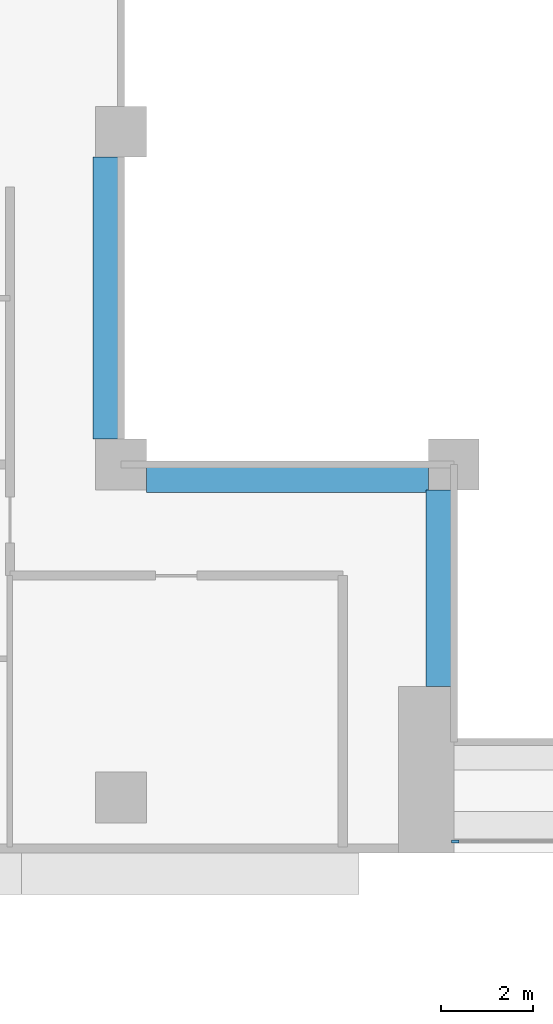
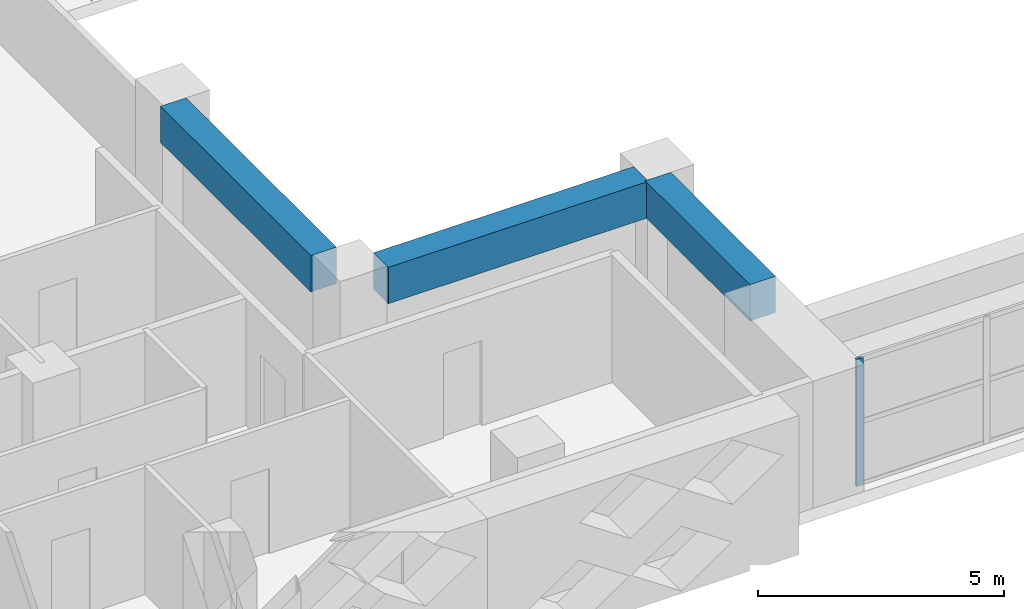
# One storey, part 2 of 19: 3 beams, 1 member, 1 element without a shape of its own.
"""IFC4 building model written with IfcOpenShell, lengths in metres."""

from ifc_helpers import new_model, si_unit, direction, frame, origin, origin_2d, place, context, subcontext, project, spatial, rectangle, extrude, source, transform, mapped, material, layer, layer_set, material_profile, profile_set, type_object, element, aggregate, save


model = new_model("IFC4")

# Units and contexts
model_context = context("Model", 3, precision=1e-05, world=origin(), true_north=direction((0.0, 1.0)))
body_context = subcontext(model_context, "Body", "Model", "MODEL_VIEW")
ifc_project = project(units=[si_unit("LENGTHUNIT", "METRE"), si_unit("AREAUNIT", "SQUARE_METRE"), si_unit("VOLUMEUNIT", "CUBIC_METRE"), si_unit("PLANEANGLEUNIT", "RADIAN"), si_unit("MASSUNIT", "GRAM", prefix="KILO")], contexts=[model_context])

# Site, building, storey
site_placement = place(None, origin())
site = spatial("IfcSite", under=ifc_project, at=site_placement, CompositionType="ELEMENT")
building_placement = place(site_placement, origin())
building = spatial("IfcBuilding", under=site, at=building_placement, Name="Saffron Iwan Residences", CompositionType="ELEMENT")
storey_placement = place(building_placement, frame((0.0, 0.0, 134.0)))
storey = spatial("IfcBuildingStorey", under=building, at=storey_placement, Name="L35", CompositionType="ELEMENT", Elevation=134.0)

# Beams
ifc_material_1 = material(Name="Concrete C50/60", Category="concrete")
ifc_material_profile_1 = material_profile(ifc_material_1, rectangle(XDim=0.60009765625, YDim=0.89990234375, at=origin_2d()), Name="RC 600x900")
ifc_profile_set_1 = profile_set([ifc_material_profile_1], Name="Concrete C50/60")
beam_type = type_object("IfcBeamType", Name="BEAM RC 600x900 C50/60 TOP 3150", PredefinedType="BEAM", material=ifc_profile_set_1)
shared_shape_1 = source(origin(), body_context, "Body", "SweptSolid", [
    extrude(rectangle(XDim=0.60009765625, YDim=0.89990234375, at=origin_2d()), origin(), (0.0, 0.0, 1.0), 4.25),
])
beam_placement = place(storey_placement, frame((42.89990234375, 43.199951171875, 2.699951171875), z_axis=(0.0, 1.0, 0.0), x_axis=(-1.0, 0.0, 0.0)))
element("IfcBeam", 1, at=beam_placement, inside=storey, type_object=beam_type, Name="Atrium edge beam", PredefinedType="BEAM", context=body_context, shape_type="MappedRepresentation", body=[
    mapped(shared_shape_1, transform((0.0, 0.0, 0.0))),
])
shared_shape_2 = source(origin(), body_context, "Body", "SweptSolid", [
    extrude(rectangle(XDim=0.60009765625, YDim=0.89990234375, at=origin_2d()), origin(), (0.0, 0.0, 1.0), 6.099853515625),
])
for number, where, z_axis, x_axis, name in (
    (2, (42.64990234375, 47.699951171875, 2.699951171875), (-1.0, 0.0, 0.0), (0.0, -1.0, 0.0), "Atrium edge beam"),
    (3, (35.699951171875, 48.550048828125, 2.699951171875), (0.0, 1.0, 0.0), (-1.0, 0.0, 0.0), "Atrium edge beam"),
):
    element("IfcBeam", number, at=place(storey_placement, frame(where, z_axis=z_axis, x_axis=x_axis)), inside=storey, type_object=beam_type, Name=name, PredefinedType="BEAM", context=body_context, shape_type="MappedRepresentation", body=[
        mapped(shared_shape_2, transform((0.0, 0.0, 0.0))),
    ])

# Curtain wall, member
ifc_material_2 = material(Name="Clear glass, laminated double glazed", Category="glass")
ifc_layer = layer(ifc_material_2, 0.199951171875)
ifc_layer_set = layer_set([ifc_layer], Name="Clear glass, laminated double glazed")
curtain_wall_type = type_object("IfcCurtainWallType", Name="CW-B IWAN PORTAL", PredefinedType="NOTDEFINED", material=ifc_layer_set)
curtain_wall_placement = place(storey_placement, origin())
curtain_wall = element("IfcCurtainWall", 4, at=curtain_wall_placement, inside=storey, type_object=curtain_wall_type, Name="Iwan portal glazing L35.1", PredefinedType="NOTDEFINED")
ifc_material_3 = material(Name="Aluminium 6063-T6", Category="aluminium")
ifc_material_profile_2 = material_profile(ifc_material_3, rectangle(XDim=0.06005859375, YDim=0.159912109375, at=origin_2d()), Name="CW-B MULLION 60 x 160")
ifc_profile_set_2 = profile_set([ifc_material_profile_2], Name="Aluminium 6063-T6")
member_type = type_object("IfcMemberType", Name="CW-B MULLION 60 x 160", PredefinedType="MULLION", material=ifc_profile_set_2)
shared_shape_3 = source(origin(), body_context, "Body", "SweptSolid", [
    extrude(rectangle(XDim=0.06005859375, YDim=0.159912109375, at=origin_2d()), origin(), (0.0, 0.0, 1.0), 3.14990234375),
])
member_placement = place(storey_placement, frame((43.22998046875, 39.85009765625, 0.0), z_axis=(0.0, 0.0, 1.0), x_axis=(0.0, 1.0, 0.0)))
member = element("IfcMember", 5, at=member_placement, type_object=member_type, Name="CW-B mullion 1", PredefinedType="MULLION", context=body_context, shape_type="MappedRepresentation", body=[
    mapped(shared_shape_3, transform((0.0, 0.0, 0.0))),
])
aggregate(curtain_wall, [member])

save(model, "model.ifc")
